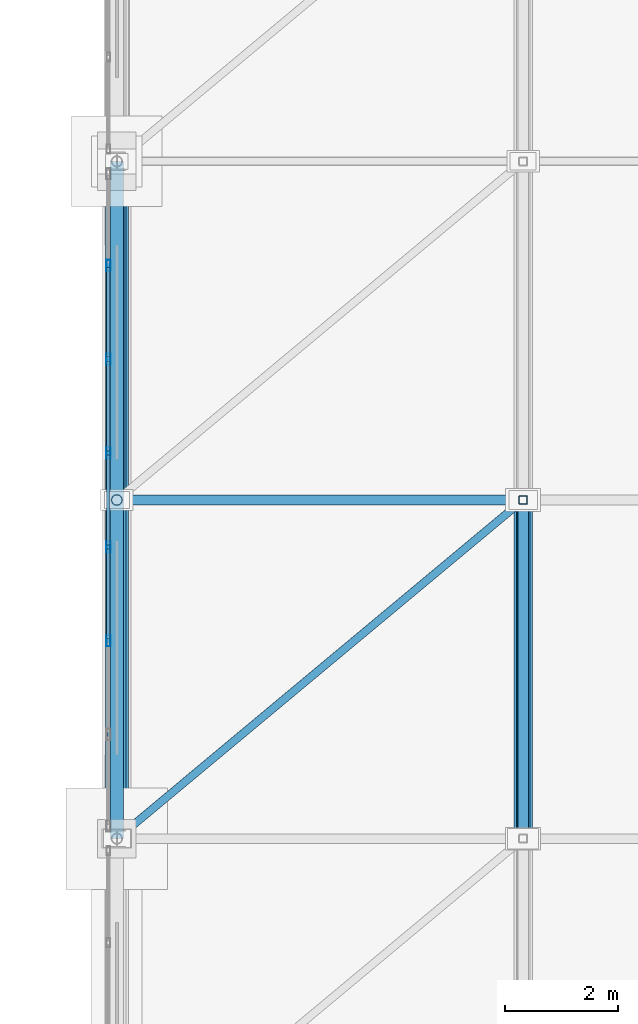
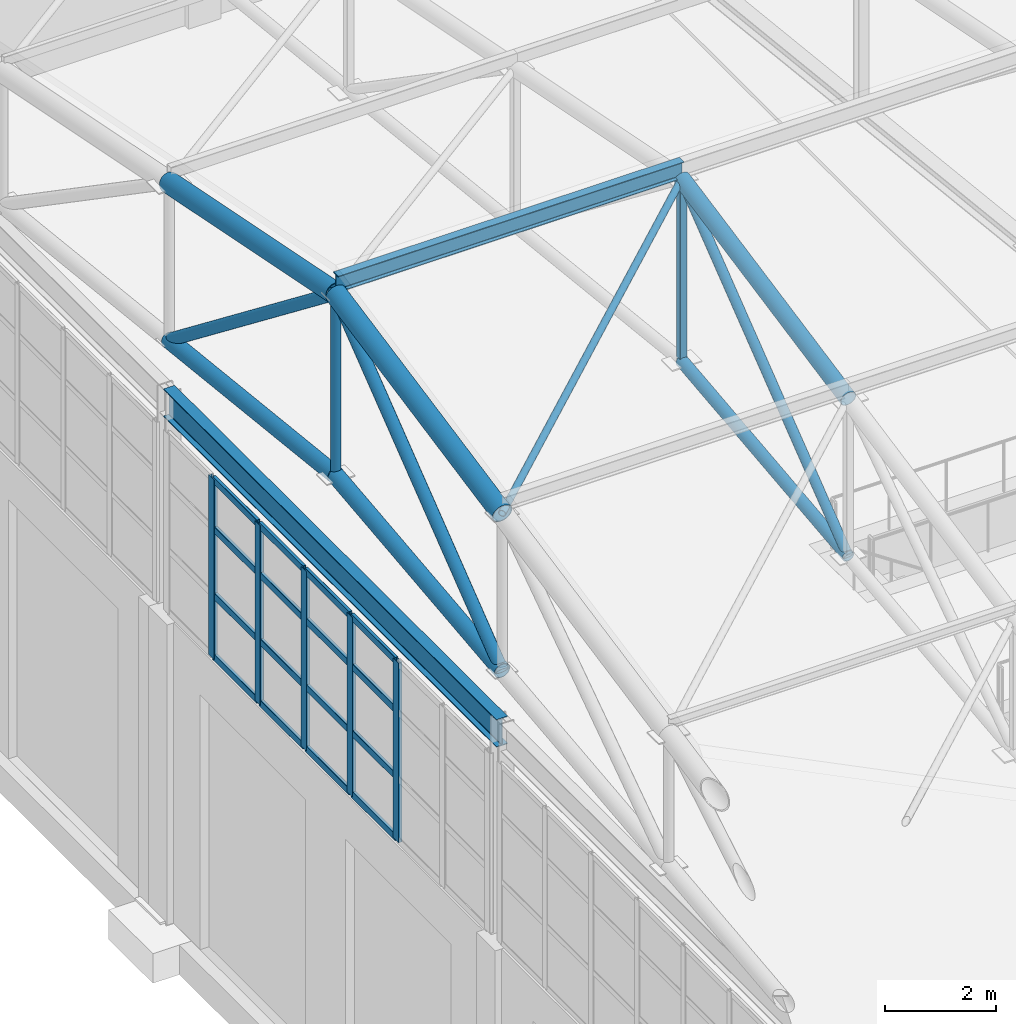
# One storey, part 120 of 293: 34 members, 1 beam, 1 element without a shape of its own.
"""IFC4 building model written with IfcOpenShell, lengths in metres."""

from ifc_helpers import new_model, si_unit, direction, frame, origin, origin_2d, place, context, subcontext, project, spatial, hollow_rectangle, hollow_circle, i_section, extrude, material, layer, layer_set, material_profile, profile_set, type_object, element, aggregate, save


model = new_model("IFC4")

# Units and contexts
model_context = context("Model", 3, precision=1e-05, world=origin(), true_north=direction((0.0, 1.0)))
body_context = subcontext(model_context, "Body", "Model", "MODEL_VIEW")
ifc_project = project(units=[si_unit("LENGTHUNIT", "METRE"), si_unit("AREAUNIT", "SQUARE_METRE"), si_unit("VOLUMEUNIT", "CUBIC_METRE"), si_unit("PLANEANGLEUNIT", "RADIAN"), si_unit("MASSUNIT", "GRAM", prefix="KILO")], contexts=[model_context])

# Site, building, storey
site_placement = place(None, origin())
site = spatial("IfcSite", under=ifc_project, at=site_placement, CompositionType="ELEMENT")
building_placement = place(site_placement, origin())
building = spatial("IfcBuilding", under=site, at=building_placement, Name="Kemerveld Promenade Tramway Depot", CompositionType="ELEMENT")
storey_placement = place(building_placement, origin())
storey = spatial("IfcBuildingStorey", under=building, at=storey_placement, Name="L00", CompositionType="ELEMENT", Elevation=0.0)

# Beam
ifc_material_1 = material(Name="Steel S355", Category="steel")
ifc_material_profile_1 = material_profile(ifc_material_1, i_section(OverallWidth=0.22900390625, OverallDepth=0.6123046875, WebThickness=0.011962890625, FlangeThickness=0.01953125, FilletRadius=0.0126953125, at=origin_2d()), Name="610x229x125 UB")
ifc_profile_set_1 = profile_set([ifc_material_profile_1], Name="Steel S355")
beam_type = type_object("IfcBeamType", Name="BM-G04", PredefinedType="BEAM", material=ifc_profile_set_1)
beam_placement = place(storey_placement, frame((36.0, 108.0, 11.093994140625), z_axis=(0.0, 1.0, 0.0), x_axis=(-1.0, 0.0, 0.0)))
element("IfcBeam", 1, at=beam_placement, inside=storey, type_object=beam_type, Name="BM-GABLE-06-Q", PredefinedType="BEAM", context=body_context, shape_type="SweptSolid", body=[
    extrude(i_section(OverallWidth=0.22900390625, OverallDepth=0.6123046875, WebThickness=0.011962890625, FlangeThickness=0.01953125, FilletRadius=0.0126953125, at=origin_2d()), origin(), (0.0, 0.0, 1.0), 12.0),
])

# Curtain wall, members
ifc_material_2 = material(Name="Bronze anodised aluminium and solar glass", Category="aluminium")
ifc_layer = layer(ifc_material_2, 0.199951171875)
ifc_layer_set = layer_set([ifc_layer], Name="CW-SYS-10")
curtain_wall_type = type_object("IfcCurtainWallType", Name="CW-SYS-10", PredefinedType="USERDEFINED", material=ifc_layer_set)
curtain_wall_placement = place(storey_placement, origin())
curtain_wall = element("IfcCurtainWall", 2, at=curtain_wall_placement, inside=storey, type_object=curtain_wall_type, Name="CW-V1-W-03", ObjectType="GLAZED_CURTAIN_WALL", PredefinedType="USERDEFINED")
ifc_material_3 = material(Name="Bronze anodised aluminium", Category="aluminium")
ifc_material_profile_2 = material_profile(ifc_material_3, hollow_rectangle(XDim=0.074951171875, YDim=0.199951171875, WallThickness=0.0048828125, InnerFilletRadius=0.001953125, OuterFilletRadius=0.0048828125, at=origin_2d()), Name="CW-MUL-200x75")
ifc_profile_set_2 = profile_set([ifc_material_profile_2], Name="Bronze anodised aluminium")
member_type_1 = type_object("IfcMemberType", Name="CW-MUL-B", PredefinedType="MULLION", material=ifc_profile_set_2)
member_1_placement = place(storey_placement, frame((35.85009765625, 111.50732421875, 6.64990234375), z_axis=(0.0, 0.0, 1.0), x_axis=(-1.0, 0.0, 0.0)))
member_1 = element("IfcMember", 3, at=member_1_placement, type_object=member_type_1, Name="CW10 mullion 3", PredefinedType="MULLION", context=body_context, shape_type="SweptSolid", body=[
    extrude(hollow_rectangle(XDim=0.074951171875, YDim=0.199951171875, WallThickness=0.0048828125, InnerFilletRadius=0.001953125, OuterFilletRadius=0.0048828125, at=origin_2d()), origin(), (0.0, 0.0, 1.0), 3.9501953125),
])
member_2_placement = place(storey_placement, frame((35.85009765625, 113.169189453125, 6.64990234375), z_axis=(0.0, 0.0, 1.0), x_axis=(-1.0, 0.0, 0.0)))
member_2 = element("IfcMember", 4, at=member_2_placement, type_object=member_type_1, Name="CW10 mullion 4", PredefinedType="MULLION", context=body_context, shape_type="SweptSolid", body=[
    extrude(hollow_rectangle(XDim=0.074951171875, YDim=0.199951171875, WallThickness=0.0048828125, InnerFilletRadius=0.001953125, OuterFilletRadius=0.0048828125, at=origin_2d()), origin(), (0.0, 0.0, 1.0), 3.9501953125),
])
member_3_placement = place(storey_placement, frame((35.85009765625, 114.830810546875, 6.64990234375), z_axis=(0.0, 0.0, 1.0), x_axis=(-1.0, 0.0, 0.0)))
member_3 = element("IfcMember", 5, at=member_3_placement, type_object=member_type_1, Name="CW10 mullion 5", PredefinedType="MULLION", context=body_context, shape_type="SweptSolid", body=[
    extrude(hollow_rectangle(XDim=0.074951171875, YDim=0.199951171875, WallThickness=0.0048828125, InnerFilletRadius=0.001953125, OuterFilletRadius=0.0048828125, at=origin_2d()), origin(), (0.0, 0.0, 1.0), 3.9501953125),
])
member_4_placement = place(storey_placement, frame((35.85009765625, 116.49267578125, 6.64990234375), z_axis=(0.0, 0.0, 1.0), x_axis=(-1.0, 0.0, 0.0)))
member_4 = element("IfcMember", 6, at=member_4_placement, type_object=member_type_1, Name="CW10 mullion 6", PredefinedType="MULLION", context=body_context, shape_type="SweptSolid", body=[
    extrude(hollow_rectangle(XDim=0.074951171875, YDim=0.199951171875, WallThickness=0.0048828125, InnerFilletRadius=0.001953125, OuterFilletRadius=0.0048828125, at=origin_2d()), origin(), (0.0, 0.0, 1.0), 3.9501953125),
])
member_5_placement = place(storey_placement, frame((35.85009765625, 118.154541015625, 6.64990234375), z_axis=(0.0, 0.0, 1.0), x_axis=(-1.0, 0.0, 0.0)))
member_5 = element("IfcMember", 7, at=member_5_placement, type_object=member_type_1, Name="CW10 mullion 7", PredefinedType="MULLION", context=body_context, shape_type="SweptSolid", body=[
    extrude(hollow_rectangle(XDim=0.074951171875, YDim=0.199951171875, WallThickness=0.0048828125, InnerFilletRadius=0.001953125, OuterFilletRadius=0.0048828125, at=origin_2d()), origin(), (0.0, 0.0, 1.0), 3.9501953125),
])
ifc_material_profile_3 = material_profile(ifc_material_3, hollow_rectangle(XDim=0.06494140625, YDim=0.14990234375, WallThickness=0.00439453125, InnerFilletRadius=0.001953125, OuterFilletRadius=0.00439453125, at=origin_2d()), Name="CW-TRN-150x65")
ifc_profile_set_3 = profile_set([ifc_material_profile_3], Name="Bronze anodised aluminium")
member_type_2 = type_object("IfcMemberType", Name="CW-TRN-B", PredefinedType="USERDEFINED", material=ifc_profile_set_3)
member_6_placement = place(storey_placement, frame((35.85009765625, 111.544677734375, 6.6826171875), z_axis=(0.0, 1.0, 0.0), x_axis=(-1.0, 0.0, 0.0)))
member_6 = element("IfcMember", 8, at=member_6_placement, type_object=member_type_2, Name="CW10 transom 3.1", ObjectType="TRANSOM", PredefinedType="USERDEFINED", context=body_context, shape_type="SweptSolid", body=[
    extrude(hollow_rectangle(XDim=0.06494140625, YDim=0.14990234375, WallThickness=0.00439453125, InnerFilletRadius=0.001953125, OuterFilletRadius=0.00439453125, at=origin_2d()), origin(), (0.0, 0.0, 1.0), 1.5869140625),
])
member_7_placement = place(storey_placement, frame((35.85009765625, 111.544677734375, 8.032958984375), z_axis=(0.0, 1.0, 0.0), x_axis=(-1.0, 0.0, 0.0)))
member_7 = element("IfcMember", 9, at=member_7_placement, type_object=member_type_2, Name="CW10 transom 3.2", ObjectType="TRANSOM", PredefinedType="USERDEFINED", context=body_context, shape_type="SweptSolid", body=[
    extrude(hollow_rectangle(XDim=0.06494140625, YDim=0.14990234375, WallThickness=0.00439453125, InnerFilletRadius=0.001953125, OuterFilletRadius=0.00439453125, at=origin_2d()), origin(), (0.0, 0.0, 1.0), 1.5869140625),
])
member_8_placement = place(storey_placement, frame((35.85009765625, 111.544677734375, 9.493896484375), z_axis=(0.0, 1.0, 0.0), x_axis=(-1.0, 0.0, 0.0)))
member_8 = element("IfcMember", 10, at=member_8_placement, type_object=member_type_2, Name="CW10 transom 3.3", ObjectType="TRANSOM", PredefinedType="USERDEFINED", context=body_context, shape_type="SweptSolid", body=[
    extrude(hollow_rectangle(XDim=0.06494140625, YDim=0.14990234375, WallThickness=0.00439453125, InnerFilletRadius=0.001953125, OuterFilletRadius=0.00439453125, at=origin_2d()), origin(), (0.0, 0.0, 1.0), 1.5869140625),
])
member_9_placement = place(storey_placement, frame((35.85009765625, 111.544677734375, 10.5673828125), z_axis=(0.0, 1.0, 0.0), x_axis=(-1.0, 0.0, 0.0)))
member_9 = element("IfcMember", 11, at=member_9_placement, type_object=member_type_2, Name="CW10 transom 3.4", ObjectType="TRANSOM", PredefinedType="USERDEFINED", context=body_context, shape_type="SweptSolid", body=[
    extrude(hollow_rectangle(XDim=0.06494140625, YDim=0.14990234375, WallThickness=0.00439453125, InnerFilletRadius=0.001953125, OuterFilletRadius=0.00439453125, at=origin_2d()), origin(), (0.0, 0.0, 1.0), 1.5869140625),
])
member_10_placement = place(storey_placement, frame((35.85009765625, 113.20654296875, 6.6826171875), z_axis=(0.0, 1.0, 0.0), x_axis=(-1.0, 0.0, 0.0)))
member_10 = element("IfcMember", 12, at=member_10_placement, type_object=member_type_2, Name="CW10 transom 4.1", ObjectType="TRANSOM", PredefinedType="USERDEFINED", context=body_context, shape_type="SweptSolid", body=[
    extrude(hollow_rectangle(XDim=0.06494140625, YDim=0.14990234375, WallThickness=0.00439453125, InnerFilletRadius=0.001953125, OuterFilletRadius=0.00439453125, at=origin_2d()), origin(), (0.0, 0.0, 1.0), 1.5869140625),
])
member_11_placement = place(storey_placement, frame((35.85009765625, 113.20654296875, 8.032958984375), z_axis=(0.0, 1.0, 0.0), x_axis=(-1.0, 0.0, 0.0)))
member_11 = element("IfcMember", 13, at=member_11_placement, type_object=member_type_2, Name="CW10 transom 4.2", ObjectType="TRANSOM", PredefinedType="USERDEFINED", context=body_context, shape_type="SweptSolid", body=[
    extrude(hollow_rectangle(XDim=0.06494140625, YDim=0.14990234375, WallThickness=0.00439453125, InnerFilletRadius=0.001953125, OuterFilletRadius=0.00439453125, at=origin_2d()), origin(), (0.0, 0.0, 1.0), 1.5869140625),
])
member_12_placement = place(storey_placement, frame((35.85009765625, 113.20654296875, 9.493896484375), z_axis=(0.0, 1.0, 0.0), x_axis=(-1.0, 0.0, 0.0)))
member_12 = element("IfcMember", 14, at=member_12_placement, type_object=member_type_2, Name="CW10 transom 4.3", ObjectType="TRANSOM", PredefinedType="USERDEFINED", context=body_context, shape_type="SweptSolid", body=[
    extrude(hollow_rectangle(XDim=0.06494140625, YDim=0.14990234375, WallThickness=0.00439453125, InnerFilletRadius=0.001953125, OuterFilletRadius=0.00439453125, at=origin_2d()), origin(), (0.0, 0.0, 1.0), 1.5869140625),
])
member_13_placement = place(storey_placement, frame((35.85009765625, 113.20654296875, 10.5673828125), z_axis=(0.0, 1.0, 0.0), x_axis=(-1.0, 0.0, 0.0)))
member_13 = element("IfcMember", 15, at=member_13_placement, type_object=member_type_2, Name="CW10 transom 4.4", ObjectType="TRANSOM", PredefinedType="USERDEFINED", context=body_context, shape_type="SweptSolid", body=[
    extrude(hollow_rectangle(XDim=0.06494140625, YDim=0.14990234375, WallThickness=0.00439453125, InnerFilletRadius=0.001953125, OuterFilletRadius=0.00439453125, at=origin_2d()), origin(), (0.0, 0.0, 1.0), 1.5869140625),
])
member_14_placement = place(storey_placement, frame((35.85009765625, 114.868408203125, 6.6826171875), z_axis=(0.0, 1.0, 0.0), x_axis=(-1.0, 0.0, 0.0)))
member_14 = element("IfcMember", 16, at=member_14_placement, type_object=member_type_2, Name="CW10 transom 5.1", ObjectType="TRANSOM", PredefinedType="USERDEFINED", context=body_context, shape_type="SweptSolid", body=[
    extrude(hollow_rectangle(XDim=0.06494140625, YDim=0.14990234375, WallThickness=0.00439453125, InnerFilletRadius=0.001953125, OuterFilletRadius=0.00439453125, at=origin_2d()), origin(), (0.0, 0.0, 1.0), 1.5869140625),
])
member_15_placement = place(storey_placement, frame((35.85009765625, 114.868408203125, 8.032958984375), z_axis=(0.0, 1.0, 0.0), x_axis=(-1.0, 0.0, 0.0)))
member_15 = element("IfcMember", 17, at=member_15_placement, type_object=member_type_2, Name="CW10 transom 5.2", ObjectType="TRANSOM", PredefinedType="USERDEFINED", context=body_context, shape_type="SweptSolid", body=[
    extrude(hollow_rectangle(XDim=0.06494140625, YDim=0.14990234375, WallThickness=0.00439453125, InnerFilletRadius=0.001953125, OuterFilletRadius=0.00439453125, at=origin_2d()), origin(), (0.0, 0.0, 1.0), 1.5869140625),
])
member_16_placement = place(storey_placement, frame((35.85009765625, 114.868408203125, 9.493896484375), z_axis=(0.0, 1.0, 0.0), x_axis=(-1.0, 0.0, 0.0)))
member_16 = element("IfcMember", 18, at=member_16_placement, type_object=member_type_2, Name="CW10 transom 5.3", ObjectType="TRANSOM", PredefinedType="USERDEFINED", context=body_context, shape_type="SweptSolid", body=[
    extrude(hollow_rectangle(XDim=0.06494140625, YDim=0.14990234375, WallThickness=0.00439453125, InnerFilletRadius=0.001953125, OuterFilletRadius=0.00439453125, at=origin_2d()), origin(), (0.0, 0.0, 1.0), 1.5869140625),
])
member_17_placement = place(storey_placement, frame((35.85009765625, 114.868408203125, 10.5673828125), z_axis=(0.0, 1.0, 0.0), x_axis=(-1.0, 0.0, 0.0)))
member_17 = element("IfcMember", 19, at=member_17_placement, type_object=member_type_2, Name="CW10 transom 5.4", ObjectType="TRANSOM", PredefinedType="USERDEFINED", context=body_context, shape_type="SweptSolid", body=[
    extrude(hollow_rectangle(XDim=0.06494140625, YDim=0.14990234375, WallThickness=0.00439453125, InnerFilletRadius=0.001953125, OuterFilletRadius=0.00439453125, at=origin_2d()), origin(), (0.0, 0.0, 1.0), 1.5869140625),
])
member_18_placement = place(storey_placement, frame((35.85009765625, 116.5302734375, 6.6826171875), z_axis=(0.0, 1.0, 0.0), x_axis=(-1.0, 0.0, 0.0)))
member_18 = element("IfcMember", 20, at=member_18_placement, type_object=member_type_2, Name="CW10 transom 6.1", ObjectType="TRANSOM", PredefinedType="USERDEFINED", context=body_context, shape_type="SweptSolid", body=[
    extrude(hollow_rectangle(XDim=0.06494140625, YDim=0.14990234375, WallThickness=0.00439453125, InnerFilletRadius=0.001953125, OuterFilletRadius=0.00439453125, at=origin_2d()), origin(), (0.0, 0.0, 1.0), 1.5869140625),
])
member_19_placement = place(storey_placement, frame((35.85009765625, 116.5302734375, 8.032958984375), z_axis=(0.0, 1.0, 0.0), x_axis=(-1.0, 0.0, 0.0)))
member_19 = element("IfcMember", 21, at=member_19_placement, type_object=member_type_2, Name="CW10 transom 6.2", ObjectType="TRANSOM", PredefinedType="USERDEFINED", context=body_context, shape_type="SweptSolid", body=[
    extrude(hollow_rectangle(XDim=0.06494140625, YDim=0.14990234375, WallThickness=0.00439453125, InnerFilletRadius=0.001953125, OuterFilletRadius=0.00439453125, at=origin_2d()), origin(), (0.0, 0.0, 1.0), 1.5869140625),
])
member_20_placement = place(storey_placement, frame((35.85009765625, 116.5302734375, 9.493896484375), z_axis=(0.0, 1.0, 0.0), x_axis=(-1.0, 0.0, 0.0)))
member_20 = element("IfcMember", 22, at=member_20_placement, type_object=member_type_2, Name="CW10 transom 6.3", ObjectType="TRANSOM", PredefinedType="USERDEFINED", context=body_context, shape_type="SweptSolid", body=[
    extrude(hollow_rectangle(XDim=0.06494140625, YDim=0.14990234375, WallThickness=0.00439453125, InnerFilletRadius=0.001953125, OuterFilletRadius=0.00439453125, at=origin_2d()), origin(), (0.0, 0.0, 1.0), 1.5869140625),
])
member_21_placement = place(storey_placement, frame((35.85009765625, 116.5302734375, 10.5673828125), z_axis=(0.0, 1.0, 0.0), x_axis=(-1.0, 0.0, 0.0)))
member_21 = element("IfcMember", 23, at=member_21_placement, type_object=member_type_2, Name="CW10 transom 6.4", ObjectType="TRANSOM", PredefinedType="USERDEFINED", context=body_context, shape_type="SweptSolid", body=[
    extrude(hollow_rectangle(XDim=0.06494140625, YDim=0.14990234375, WallThickness=0.00439453125, InnerFilletRadius=0.001953125, OuterFilletRadius=0.00439453125, at=origin_2d()), origin(), (0.0, 0.0, 1.0), 1.5869140625),
])
aggregate(curtain_wall, [member_1, member_2, member_3, member_4, member_5, member_6, member_7, member_8, member_9, member_10, member_11, member_12, member_13, member_14, member_15, member_16, member_17, member_18, member_19, member_20, member_21])

# Members
ifc_material_profile_4 = material_profile(ifc_material_1, i_section(OverallWidth=0.172119140625, OverallDepth=0.35791015625, WebThickness=0.008056640625, FlangeThickness=0.012939453125, FilletRadius=0.01025390625, at=origin_2d()), Name="356x171x57 UB")
ifc_profile_set_4 = profile_set([ifc_material_profile_4], Name="Steel S355")
member_type_3 = type_object("IfcMemberType", Name="MB-M07", PredefinedType="PURLIN", material=ifc_profile_set_4)
member_22_placement = place(storey_placement, frame((36.0, 114.0, 17.344970703125), z_axis=(1.0, 0.0, 0.0), x_axis=(0.0, 1.0, 0.0)))
element("IfcMember", 24, at=member_22_placement, inside=storey, type_object=member_type_3, Name="PUR-V1-05-06", PredefinedType="PURLIN", context=body_context, shape_type="SweptSolid", body=[
    extrude(i_section(OverallWidth=0.172119140625, OverallDepth=0.35791015625, WebThickness=0.008056640625, FlangeThickness=0.012939453125, FilletRadius=0.01025390625, at=origin_2d()), origin(), (0.0, 0.0, 1.0), 7.199951171875),
])
ifc_material_profile_5 = material_profile(ifc_material_1, hollow_circle(Radius=0.122314453125, WallThickness=0.010009765625, at=origin_2d()), Name="244.5x10.0 CHS")
ifc_profile_set_5 = profile_set([ifc_material_profile_5], Name="Steel S355")
member_type_4 = type_object("IfcMemberType", Name="MB-TB1", PredefinedType="BRACE", material=ifc_profile_set_5)
for number, where, z_axis, x_axis, name in (
    (25, (36.0, 108.0, 12.43994140625), (0.0, 0.789767329101, 0.613406525793), (-1.0, 0.0, 0.0), "TR-06-DG-05"),
    (26, (36.0, 120.0, 12.43994140625), (0.0, -0.789767329101, 0.613406525793), (1.0, 0.0, 0.0), "TR-06-DG-06"),
):
    element("IfcMember", number, at=place(storey_placement, frame(where, z_axis=z_axis, x_axis=x_axis)), inside=storey, type_object=member_type_4, Name=name, PredefinedType="BRACE", context=body_context, shape_type="SweptSolid", body=[
        extrude(hollow_circle(Radius=0.122314453125, WallThickness=0.010009765625, at=origin_2d()), origin(), (0.0, 0.0, 1.0), 7.59716796875),
    ])
ifc_material_profile_6 = material_profile(ifc_material_1, hollow_circle(Radius=0.096923828125, WallThickness=0.008056640625, at=origin_2d()), Name="193.7x8.0 CHS")
ifc_profile_set_6 = profile_set([ifc_material_profile_6], Name="Steel S355")
member_type_5 = type_object("IfcMemberType", Name="MB-TB2", PredefinedType="BRACE", material=ifc_profile_set_6)
member_23_placement = place(storey_placement, frame((43.199951171875, 108.0, 12.43994140625), z_axis=(0.0, 0.789767329101, 0.613406525793), x_axis=(-1.0, 0.0, 0.0)))
element("IfcMember", 27, at=member_23_placement, inside=storey, type_object=member_type_5, Name="TR-07-DG-05", PredefinedType="BRACE", context=body_context, shape_type="SweptSolid", body=[
    extrude(hollow_circle(Radius=0.096923828125, WallThickness=0.008056640625, at=origin_2d()), origin(), (0.0, 0.0, 1.0), 7.59716796875),
])
ifc_material_profile_7 = material_profile(ifc_material_1, hollow_circle(Radius=0.06982421875, WallThickness=0.00634765625, at=origin_2d()), Name="139.7x6.3 CHS")
ifc_profile_set_7 = profile_set([ifc_material_profile_7], Name="Steel S355")
member_type_6 = type_object("IfcMemberType", Name="MB-TB3", PredefinedType="BRACE", material=ifc_profile_set_7)
member_24_placement = place(storey_placement, frame((36.0, 108.0, 15.89990234375), z_axis=(0.761996594365, 0.63500146835, 0.127020964291), x_axis=(-0.640186961885, 0.768219144407, 0.0)))
element("IfcMember", 28, at=member_24_placement, inside=storey, type_object=member_type_6, Name="RBR-V1-04-06", PredefinedType="BRACE", context=body_context, shape_type="SweptSolid", body=[
    extrude(hollow_circle(Radius=0.06982421875, WallThickness=0.00634765625, at=origin_2d()), origin(), (0.0, 0.0, 1.0), 9.44873046875),
])
ifc_material_profile_8 = material_profile(ifc_material_1, hollow_circle(Radius=0.203125, WallThickness=0.01611328125, at=origin_2d()), Name="406.4x16.0 CHS")
ifc_profile_set_8 = profile_set([ifc_material_profile_8], Name="Steel S355")
member_type_7 = type_object("IfcMemberType", Name="MB-TC1", PredefinedType="CHORD", material=ifc_profile_set_8)
for number, where, z_axis, x_axis, name in (
    (29, (36.0, 108.0, 15.89990234375), (0.0, 0.980574536798, 0.196146827104), (-1.0, 0.0, 0.0), "TR-06-TC-05"),
    (30, (36.0, 114.0, 17.10009765625), (0.0, 0.980574536798, -0.196146827104), (-1.0, 0.0, 0.0), "TR-06-TC-06"),
):
    element("IfcMember", number, at=place(storey_placement, frame(where, z_axis=z_axis, x_axis=x_axis)), inside=storey, type_object=member_type_7, Name=name, PredefinedType="CHORD", context=body_context, shape_type="SweptSolid", body=[
        extrude(hollow_circle(Radius=0.203125, WallThickness=0.01611328125, at=origin_2d()), origin(), (0.0, 0.0, 1.0), 6.118896484375),
    ])
ifc_material_profile_9 = material_profile(ifc_material_1, hollow_circle(Radius=0.161865234375, WallThickness=0.012451171875, at=origin_2d()), Name="323.9x12.5 CHS")
ifc_profile_set_9 = profile_set([ifc_material_profile_9], Name="Steel S355")
member_type_8 = type_object("IfcMemberType", Name="MB-TC2", PredefinedType="CHORD", material=ifc_profile_set_9)
for number, where, z_axis, x_axis, name in (
    (31, (36.0, 108.0, 12.43994140625), (0.0, 0.994001542248, 0.109366055104), (-1.0, 0.0, 0.0), "TR-06-BC-05"),
    (32, (36.0, 114.0, 13.10009765625), (0.0, 0.994001542248, -0.109366055104), (-1.0, 0.0, 0.0), "TR-06-BC-06"),
):
    element("IfcMember", number, at=place(storey_placement, frame(where, z_axis=z_axis, x_axis=x_axis)), inside=storey, type_object=member_type_8, Name=name, PredefinedType="CHORD", context=body_context, shape_type="SweptSolid", body=[
        extrude(hollow_circle(Radius=0.161865234375, WallThickness=0.012451171875, at=origin_2d()), origin(), (0.0, 0.0, 1.0), 6.0361328125),
    ])
member_25_placement = place(storey_placement, frame((43.199951171875, 108.0, 15.89990234375), z_axis=(0.0, 0.980574536798, 0.196146827104), x_axis=(-1.0, 0.0, 0.0)))
element("IfcMember", 33, at=member_25_placement, inside=storey, type_object=member_type_8, Name="TR-07-TC-05", PredefinedType="CHORD", context=body_context, shape_type="SweptSolid", body=[
    extrude(hollow_circle(Radius=0.161865234375, WallThickness=0.012451171875, at=origin_2d()), origin(), (0.0, 0.0, 1.0), 6.118896484375),
])
ifc_material_profile_10 = material_profile(ifc_material_1, hollow_circle(Radius=0.122314453125, WallThickness=0.010009765625, at=origin_2d()), Name="244.5x10.0 CHS")
ifc_profile_set_10 = profile_set([ifc_material_profile_10], Name="Steel S355")
member_type_9 = type_object("IfcMemberType", Name="MB-TC3", PredefinedType="CHORD", material=ifc_profile_set_10)
member_26_placement = place(storey_placement, frame((43.199951171875, 108.0, 12.43994140625), z_axis=(0.0, 0.994001542248, 0.109366055104), x_axis=(-1.0, 0.0, 0.0)))
element("IfcMember", 34, at=member_26_placement, inside=storey, type_object=member_type_9, Name="TR-07-BC-05", PredefinedType="CHORD", context=body_context, shape_type="SweptSolid", body=[
    extrude(hollow_circle(Radius=0.122314453125, WallThickness=0.010009765625, at=origin_2d()), origin(), (0.0, 0.0, 1.0), 6.0361328125),
])
ifc_material_profile_11 = material_profile(ifc_material_1, hollow_circle(Radius=0.096923828125, WallThickness=0.008056640625, at=origin_2d()), Name="193.7x8.0 CHS")
ifc_profile_set_11 = profile_set([ifc_material_profile_11], Name="Steel S355")
member_type_10 = type_object("IfcMemberType", Name="MB-TP1", PredefinedType="POST", material=ifc_profile_set_11)
member_27_placement = place(storey_placement, frame((36.0, 114.0, 13.10009765625), z_axis=(0.0, 0.0, 1.0), x_axis=(1.0, 0.0, 0.0)))
element("IfcMember", 35, at=member_27_placement, inside=storey, type_object=member_type_10, Name="TR-06-VT-05", PredefinedType="POST", context=body_context, shape_type="SweptSolid", body=[
    extrude(hollow_circle(Radius=0.096923828125, WallThickness=0.008056640625, at=origin_2d()), origin(), (0.0, 0.0, 1.0), 4.0),
])
ifc_material_profile_12 = material_profile(ifc_material_1, hollow_rectangle(XDim=0.14990234375, YDim=0.14990234375, WallThickness=0.008056640625, InnerFilletRadius=0.00390625, OuterFilletRadius=0.011962890625, at=origin_2d()), Name="150x150x8.0 SHS")
ifc_profile_set_12 = profile_set([ifc_material_profile_12], Name="Steel S355")
member_type_11 = type_object("IfcMemberType", Name="MB-TP2", PredefinedType="POST", material=ifc_profile_set_12)
member_28_placement = place(storey_placement, frame((43.199951171875, 114.0, 13.10009765625), z_axis=(0.0, 0.0, 1.0), x_axis=(1.0, 0.0, 0.0)))
element("IfcMember", 36, at=member_28_placement, inside=storey, type_object=member_type_11, Name="TR-07-VT-05", PredefinedType="POST", context=body_context, shape_type="SweptSolid", body=[
    extrude(hollow_rectangle(XDim=0.14990234375, YDim=0.14990234375, WallThickness=0.008056640625, InnerFilletRadius=0.00390625, OuterFilletRadius=0.011962890625, at=origin_2d()), origin(), (0.0, 0.0, 1.0), 4.0),
])

save(model, "model.ifc")
